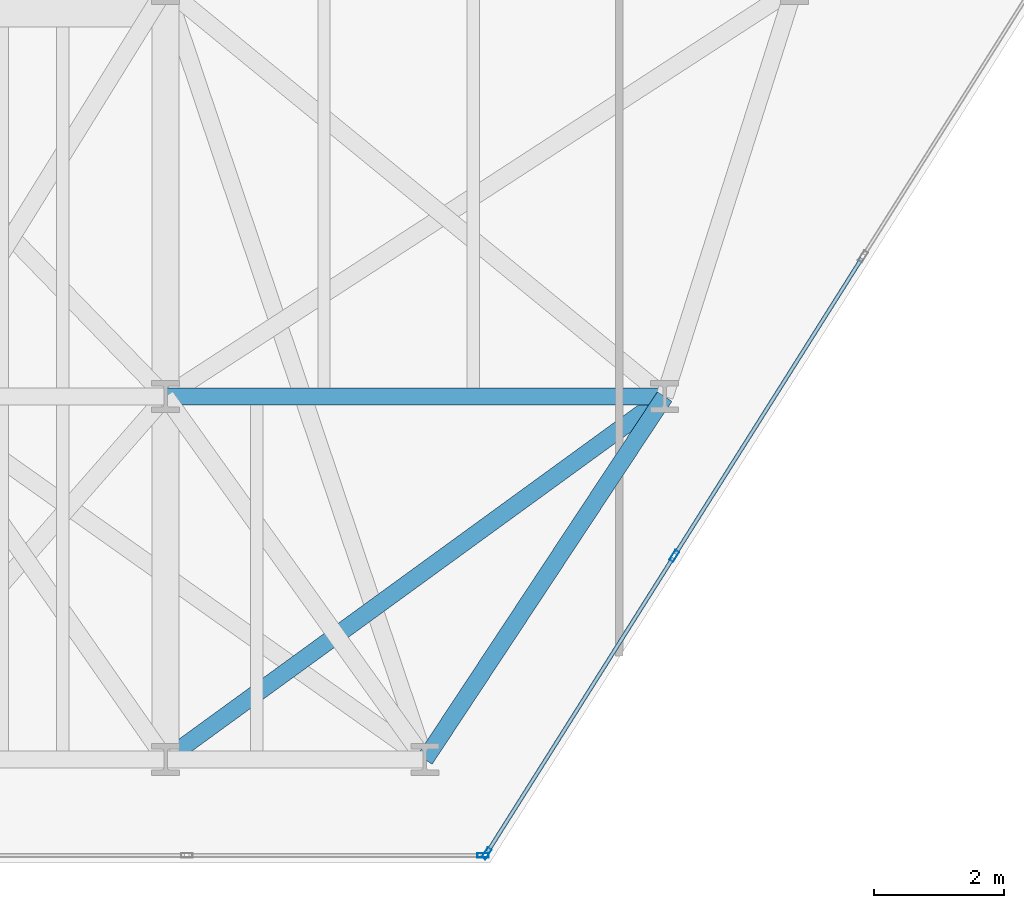
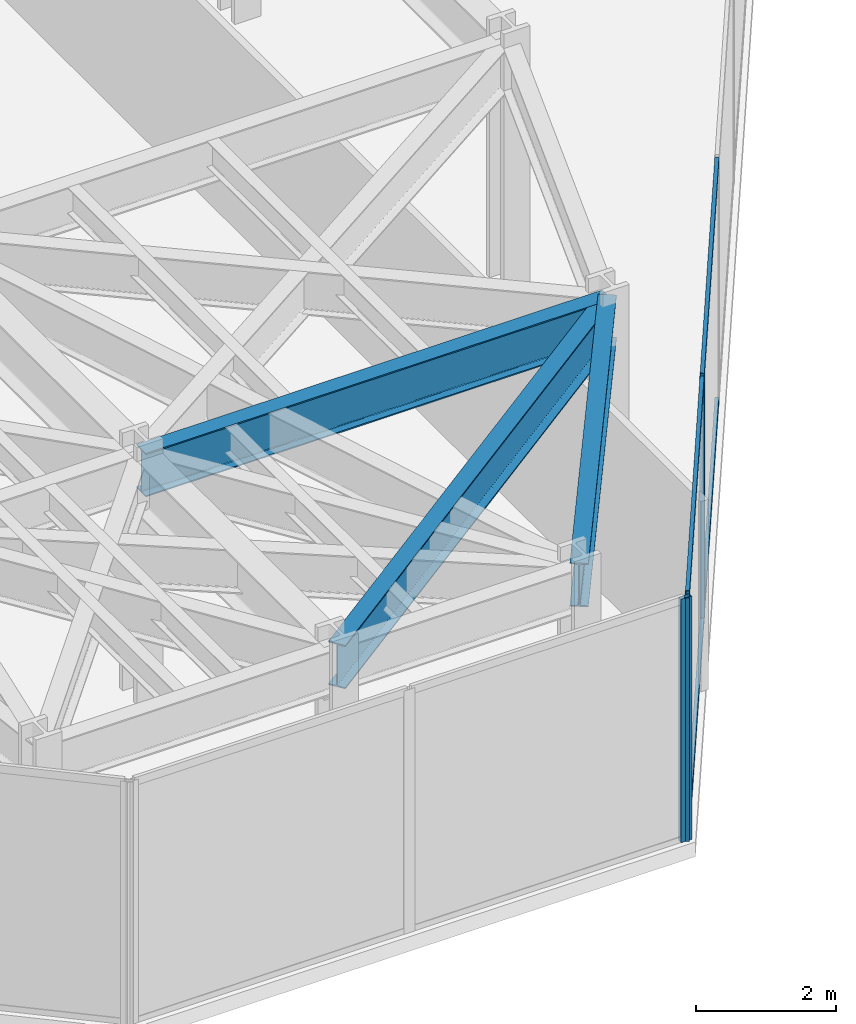
# One storey, part 5 of 28: 7 members, 3 beams, 2 elements without a shape of their own.
"""IFC4 building model written with IfcOpenShell, lengths in metres."""

from ifc_helpers import new_model, si_unit, direction, frame, origin, origin_2d, place, context, subcontext, project, spatial, hollow_rectangle, i_section, extrude, material, layer, layer_set, material_profile, profile_set, type_object, element, aggregate, save


model = new_model("IFC4")

# Units and contexts
model_context = context("Model", 3, precision=1e-05, world=origin(), true_north=direction((0.0, 1.0)))
body_context = subcontext(model_context, "Body", "Model", "MODEL_VIEW")
ifc_project = project(units=[si_unit("LENGTHUNIT", "METRE"), si_unit("AREAUNIT", "SQUARE_METRE"), si_unit("VOLUMEUNIT", "CUBIC_METRE"), si_unit("PLANEANGLEUNIT", "RADIAN"), si_unit("MASSUNIT", "GRAM", prefix="KILO")], contexts=[model_context])

# Site, building, storey
site_placement = place(None, origin())
site = spatial("IfcSite", under=ifc_project, at=site_placement, CompositionType="ELEMENT")
building_placement = place(site_placement, origin())
building = spatial("IfcBuilding", under=site, at=building_placement, Name="Kravanh Interchange Tower", CompositionType="ELEMENT")
storey_placement = place(building_placement, frame((0.0, 0.0, 91.5)))
storey = spatial("IfcBuildingStorey", under=building, at=storey_placement, Name="L21", CompositionType="ELEMENT", Elevation=91.5)

# Curtain wall, members
ifc_material_1 = material(Name="Anodised Bronze Aluminium", Category="aluminium")
ifc_layer = layer(ifc_material_1, 0.179931640625)
ifc_layer_set = layer_set([ifc_layer], Name="Unitised Curtain Wall System CW-SKY Sky Observatory")
curtain_wall_type = type_object("IfcCurtainWallType", Name="Unitised Curtain Wall System CW-SKY Sky Observatory", PredefinedType="NOTDEFINED", material=ifc_layer_set)
curtain_wall_1_placement = place(storey_placement, origin())
curtain_wall_1 = element("IfcCurtainWall", 1, at=curtain_wall_1_placement, inside=storey, type_object=curtain_wall_type, Name="L21 Unitised Curtain Wall CW-L21-06", PredefinedType="NOTDEFINED")
ifc_material_2 = material(Name="Anodised Bronze Aluminium", Category="aluminium")
ifc_material_profile_1 = material_profile(ifc_material_2, hollow_rectangle(XDim=0.070068359375, YDim=0.179931640625, WallThickness=0.00390625, at=origin_2d()), Name="ALU70X180X4")
ifc_profile_set_1 = profile_set([ifc_material_profile_1], Name="Anodised Bronze Aluminium")
member_type_1 = type_object("IfcMemberType", Name="Curtain Wall Mullion ALU70X180X4 Bronze", PredefinedType="MULLION", material=ifc_profile_set_1)
member_1_placement = place(storey_placement, frame((25.346923828125, 5.740966796875, 0.0), z_axis=(0.0, 0.0, 1.0), x_axis=(0.845925530786, -0.53330103728, 0.0)))
member_1 = element("IfcMember", 2, at=member_1_placement, type_object=member_type_1, Name="CW-SKY mullion 5", PredefinedType="MULLION", context=body_context, shape_type="SweptSolid", body=[
    extrude(hollow_rectangle(XDim=0.070068359375, YDim=0.179931640625, WallThickness=0.00390625, at=origin_2d()), origin(), (0.0, 0.0, 1.0), 4.25),
])
member_2_placement = place(storey_placement, frame((22.452392578125, 1.149658203125, 0.0), z_axis=(0.0, 0.0, 1.0), x_axis=(0.845925530786, -0.53330103728, 0.0)))
member_2 = element("IfcMember", 3, at=member_2_placement, type_object=member_type_1, Name="CW-SKY mullion 6", PredefinedType="MULLION", context=body_context, shape_type="SweptSolid", body=[
    extrude(hollow_rectangle(XDim=0.070068359375, YDim=0.179931640625, WallThickness=0.00390625, at=origin_2d()), origin(), (0.0, 0.0, 1.0), 4.25),
])

# Curtain wall, member
curtain_wall_2_placement = place(storey_placement, origin())
curtain_wall_2 = element("IfcCurtainWall", 4, at=curtain_wall_2_placement, inside=storey, type_object=curtain_wall_type, Name="L21 Unitised Curtain Wall CW-L21-07", PredefinedType="NOTDEFINED")
member_3_placement = place(storey_placement, frame((22.398681640625, 1.1201171875, 0.0), z_axis=(0.0, 0.0, 1.0), x_axis=(0.0, -1.0, 0.0)))
member_3 = element("IfcMember", 5, at=member_3_placement, type_object=member_type_1, Name="CW-SKY mullion 1", PredefinedType="MULLION", context=body_context, shape_type="SweptSolid", body=[
    extrude(hollow_rectangle(XDim=0.070068359375, YDim=0.179931640625, WallThickness=0.00390625, at=origin_2d()), origin(), (0.0, 0.0, 1.0), 4.25),
])
aggregate(curtain_wall_2, [member_3])

# Member
ifc_material_3 = material(Name="Anodised Bronze Aluminium", Category="aluminium")
ifc_material_profile_2 = material_profile(ifc_material_3, hollow_rectangle(XDim=0.06005859375, YDim=0.139892578125, WallThickness=0.00390625, at=origin_2d()), Name="ALU60X140X4")
ifc_profile_set_2 = profile_set([ifc_material_profile_2], Name="Anodised Bronze Aluminium")
member_type_2 = type_object("IfcMemberType", Name="Curtain Wall Transom ALU60X140X4 Bronze", PredefinedType="USERDEFINED", material=ifc_profile_set_2)
member_4_placement = place(storey_placement, frame((28.24169921875, 10.332275390625, 0.030029296875), z_axis=(-0.533311487456, -0.84591894254, 0.0), x_axis=(0.84591894254, -0.533311487456, 0.0)))
member_4 = element("IfcMember", 6, at=member_4_placement, type_object=member_type_2, Name="CW-SKY transom 4.1", ObjectType="TRANSOM", PredefinedType="USERDEFINED", context=body_context, shape_type="SweptSolid", body=[
    extrude(hollow_rectangle(XDim=0.06005859375, YDim=0.139892578125, WallThickness=0.00390625, at=origin_2d()), origin(), (0.0, 0.0, 1.0), 5.392578125),
])

member_5_placement = place(storey_placement, frame((28.24169921875, 10.332275390625, 4.219970703125), z_axis=(-0.533311487456, -0.84591894254, 0.0), x_axis=(0.84591894254, -0.533311487456, 0.0)))
member_5 = element("IfcMember", 7, at=member_5_placement, type_object=member_type_2, Name="CW-SKY transom 4.2", ObjectType="TRANSOM", PredefinedType="USERDEFINED", context=body_context, shape_type="SweptSolid", body=[
    extrude(hollow_rectangle(XDim=0.06005859375, YDim=0.139892578125, WallThickness=0.00390625, at=origin_2d()), origin(), (0.0, 0.0, 1.0), 5.392578125),
])

member_6_placement = place(storey_placement, frame((25.328369140625, 5.71142578125, 0.030029296875), z_axis=(-0.533288163518, -0.845933646719, 0.0), x_axis=(0.845933646719, -0.533288163518, 0.0)))
member_6 = element("IfcMember", 8, at=member_6_placement, type_object=member_type_2, Name="CW-SKY transom 5.1", ObjectType="TRANSOM", PredefinedType="USERDEFINED", context=body_context, shape_type="SweptSolid", body=[
    extrude(hollow_rectangle(XDim=0.06005859375, YDim=0.139892578125, WallThickness=0.00390625, at=origin_2d()), origin(), (0.0, 0.0, 1.0), 5.357666015625),
])

member_7_placement = place(storey_placement, frame((25.328369140625, 5.71142578125, 4.219970703125), z_axis=(-0.533288163518, -0.845933646719, 0.0), x_axis=(0.845933646719, -0.533288163518, 0.0)))
member_7 = element("IfcMember", 9, at=member_7_placement, type_object=member_type_2, Name="CW-SKY transom 5.2", ObjectType="TRANSOM", PredefinedType="USERDEFINED", context=body_context, shape_type="SweptSolid", body=[
    extrude(hollow_rectangle(XDim=0.06005859375, YDim=0.139892578125, WallThickness=0.00390625, at=origin_2d()), origin(), (0.0, 0.0, 1.0), 5.357666015625),
])

aggregate(curtain_wall_1, [member_1, member_2, member_4, member_5, member_6, member_7])

# Beams
ifc_material_4 = material(Name="Structural Steel S355", Category="steel")
ifc_material_profile_3 = material_profile(ifc_material_4, i_section(OverallWidth=0.26708984375, OverallDepth=0.761962890625, WebThickness=0.014404296875, FlangeThickness=0.021484375, FilletRadius=0.02490234375, at=origin_2d()), Name="W30X116")
ifc_profile_set_3 = profile_set([ifc_material_profile_3], Name="Structural Steel S355")
beam_type = type_object("IfcBeamType", Name="Floor Spandrel W30X116 Structural Steel S355", PredefinedType="SPANDREL", material=ifc_profile_set_3)
beam_1_placement = place(storey_placement, frame((17.5, 2.60009765625, 3.868896484375), z_axis=(0.808741628611, 0.588164074176, 0.0), x_axis=(-0.588164074176, 0.808741628611, 0.0)))
element("IfcBeam", 10, at=beam_1_placement, inside=storey, type_object=beam_type, Name="L21 Perimeter Spandrel 105", PredefinedType="SPANDREL", context=body_context, shape_type="SweptSolid", body=[
    extrude(i_section(OverallWidth=0.26708984375, OverallDepth=0.761962890625, WebThickness=0.014404296875, FlangeThickness=0.021484375, FilletRadius=0.02490234375, at=origin_2d()), origin(), (0.0, 0.0, 1.0), 9.52099609375),
])
beam_2_placement = place(storey_placement, frame((21.5, 2.60009765625, 3.868896484375), z_axis=(0.551262239226, 0.834332034386, 0.0), x_axis=(-0.834332034386, 0.551262239226, 0.0)))
element("IfcBeam", 11, at=beam_2_placement, inside=storey, type_object=beam_type, Name="L21 Perimeter Spandrel 121", PredefinedType="SPANDREL", context=body_context, shape_type="SweptSolid", body=[
    extrude(i_section(OverallWidth=0.26708984375, OverallDepth=0.761962890625, WebThickness=0.014404296875, FlangeThickness=0.021484375, FilletRadius=0.02490234375, at=origin_2d()), origin(), (0.0, 0.0, 1.0), 6.711669921875),
])
beam_3_placement = place(storey_placement, frame((17.5, 8.199951171875, 3.868896484375), z_axis=(1.0, 0.0, 0.0), x_axis=(0.0, 1.0, 0.0)))
element("IfcBeam", 12, at=beam_3_placement, inside=storey, type_object=beam_type, Name="L21 Perimeter Spandrel 137", PredefinedType="SPANDREL", context=body_context, shape_type="SweptSolid", body=[
    extrude(i_section(OverallWidth=0.26708984375, OverallDepth=0.761962890625, WebThickness=0.014404296875, FlangeThickness=0.021484375, FilletRadius=0.02490234375, at=origin_2d()), origin(), (0.0, 0.0, 1.0), 7.699951171875),
])

save(model, "model.ifc")
